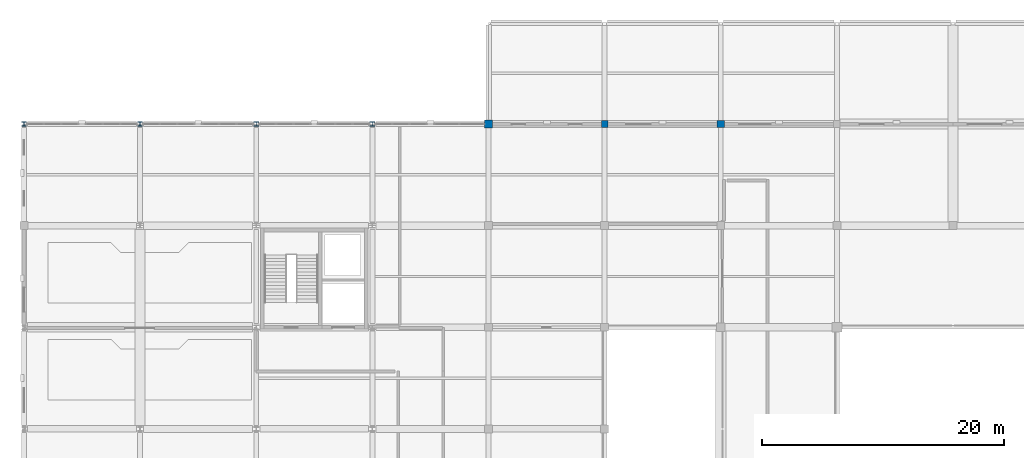
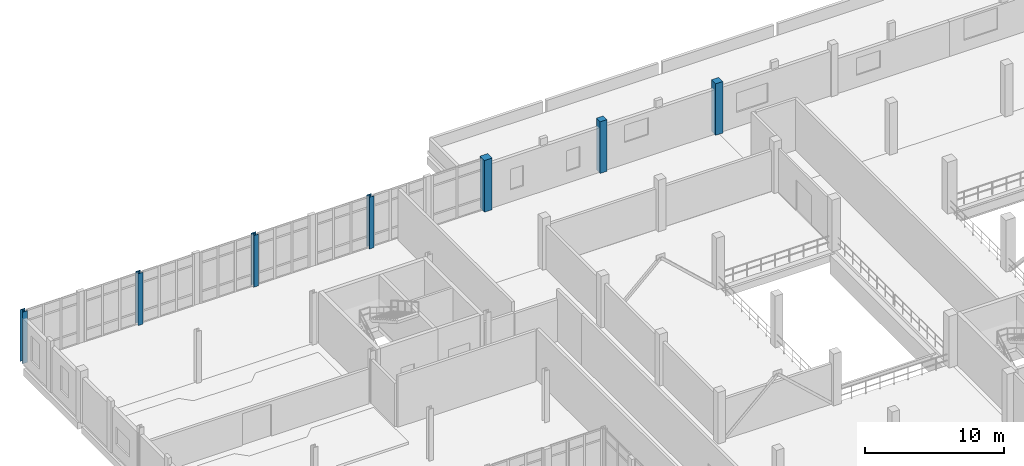
# One storey, part 11 of 102: 7 columns.
"""IFC4 building model written with IfcOpenShell, lengths in metres."""

import ifcopenshell
import ifcopenshell.guid

model = None  # the IFC model being written
_history = None  # IfcOwnerHistory: only IFC2X3 demands one
_inside = {}  # id of a spatial element -> (the spatial element, [elements in it])
_under = {}  # id of a project, library or spatial element -> (it, [spatial elements below it])
_declared = {}  # id of a project -> (the project, [libraries it declares])
_typed = {}  # id of a type object -> (the type object, [elements of that type])
_made_of = {}  # id of a material, layer set ... -> (it, [elements and type objects made of it])


def new_model(schema):
    """Start an empty IFC model of exactly this schema.

    Asked for "IFC4X3", IfcOpenShell would pick the latest addendum, in which some entities
    have other attributes; the version numbers below select the first issue.
    IFC2X3 requires an IfcOwnerHistory on every rooted entity: one is made here for all.
    """
    global model, _history
    if schema == "IFC4X3":
        model = ifcopenshell.file(schema_version=(4, 3, 0, 0))
    else:
        model = ifcopenshell.file(schema=schema)
    _inside.clear()
    _under.clear()
    _declared.clear()
    _typed.clear()
    _made_of.clear()
    _history = None
    if model.schema == "IFC2X3":
        org = make("IfcOrganization", Name="unknown")
        user = make(
            "IfcPersonAndOrganization",
            ThePerson=make("IfcPerson", FamilyName="unknown"),
            TheOrganization=org,
        )
        app = make(
            "IfcApplication",
            ApplicationDeveloper=org,
            Version="unknown",
            ApplicationFullName="unknown",
            ApplicationIdentifier="unknown",
        )
        _history = make(
            "IfcOwnerHistory",
            OwningUser=user,
            OwningApplication=app,
            ChangeAction="ADDED",
            CreationDate=0,
        )
    return model


def make(cls, **values):
    """One entity of the class cls with the attributes given. An attribute that is None is left unset."""
    return model.create_entity(
        cls, **{name: value for name, value in values.items() if value is not None}
    )


def rooted(cls, **values):
    """An entity with a GlobalId (a new one), such as an element, a storey or a relation."""
    return make(cls, GlobalId=ifcopenshell.guid.new(), OwnerHistory=_history, **values)


def si_unit(unit_type, name, prefix=None):
    """IfcSIUnit, for example si_unit("LENGTHUNIT", "METRE", prefix="MILLI")."""
    return make("IfcSIUnit", UnitType=unit_type, Prefix=prefix, Name=name)


def assignment(units):
    """IfcUnitAssignment: the units of a project."""
    return None if units is None else make("IfcUnitAssignment", Units=units)


def point(xyz):
    """IfcCartesianPoint."""
    return None if xyz is None else make("IfcCartesianPoint", Coordinates=xyz)


def direction(xyz):
    """IfcDirection."""
    return None if xyz is None else make("IfcDirection", DirectionRatios=xyz)


def frame(location, z_axis=None, x_axis=None):
    """IfcAxis2Placement3D, a coordinate frame: its origin and axes. An axis left out is left unset."""
    return make(
        "IfcAxis2Placement3D",
        Location=point(location),
        Axis=direction(z_axis),
        RefDirection=direction(x_axis),
    )


def frame_2d(location, x_axis=None):
    """IfcAxis2Placement2D, a coordinate frame in the plane: its origin and x axis."""
    return make(
        "IfcAxis2Placement2D", Location=point(location), RefDirection=direction(x_axis)
    )


def origin():
    """The frame at (0, 0, 0) with its axes left unset."""
    return frame((0.0, 0.0, 0.0))


def origin_2d():
    """The frame at (0, 0) in the plane with its x axis left unset."""
    return frame_2d((0.0, 0.0))


def place(relative_to, where):
    """IfcLocalPlacement: puts the frame where relative to a parent placement (None: the world)."""
    return make(
        "IfcLocalPlacement", PlacementRelTo=relative_to, RelativePlacement=where
    )


def context(
    kind, dimensions, precision=None, world=None, true_north=None, identifier=None
):
    """IfcGeometricRepresentationContext, for example the 3D "Model" context."""
    return make(
        "IfcGeometricRepresentationContext",
        ContextIdentifier=identifier,
        ContextType=kind,
        CoordinateSpaceDimension=dimensions,
        Precision=precision,
        WorldCoordinateSystem=world,
        TrueNorth=true_north,
    )


def subcontext(parent, identifier, kind, view, scale=None):
    """IfcGeometricRepresentationSubContext, for example "Body" below "Model"."""
    return make(
        "IfcGeometricRepresentationSubContext",
        ContextIdentifier=identifier,
        ContextType=kind,
        ParentContext=parent,
        TargetScale=scale,
        TargetView=view,
    )


def project(units=None, contexts=None):
    """IfcProject with its units and contexts."""
    return rooted(
        "IfcProject",
        Name="project",
        RepresentationContexts=contexts,
        UnitsInContext=assignment(units),
    )


def spatial(cls, under=None, at=None, **own):
    """A site, building, storey or space (cls), placed at a placement, below another one or the project."""
    s = rooted(cls, ObjectPlacement=at, **own)
    if under is not None:
        _under.setdefault(under.id(), (under, []))[1].append(s)
    return s


def profile(cls, at=None, kind="AREA", **sizes):
    """A parametric profile (cls). Its sizes go by their IFC names, for example OverallWidth=200.0."""
    return make(cls, ProfileType=kind, Position=at, **sizes)


def rectangle(**sizes):
    """IfcRectangleProfileDef."""
    return profile("IfcRectangleProfileDef", **sizes)


def i_section(**sizes):
    """IfcIShapeProfileDef."""
    return profile("IfcIShapeProfileDef", **sizes)


def extrude(swept, where, along, depth):
    """IfcExtrudedAreaSolid: the profile swept, set in the frame where, extruded along a direction by depth."""
    return make(
        "IfcExtrudedAreaSolid",
        SweptArea=swept,
        Position=where,
        ExtrudedDirection=direction(along),
        Depth=depth,
    )


def shape(context_of_items, identifier, shape_type, items):
    """IfcShapeRepresentation: the items that make up one representation, for example the "Body"."""
    return make(
        "IfcShapeRepresentation",
        ContextOfItems=context_of_items,
        RepresentationIdentifier=identifier,
        RepresentationType=shape_type,
        Items=items,
    )


def material(Name=None, Category=None):
    """IfcMaterial."""
    return make("IfcMaterial", Name=Name, Category=Category)


def material_profile(
    of_material, cross_section, Name=None, Category=None, Priority=None
):
    """IfcMaterialProfile: a cross section and its material."""
    return make(
        "IfcMaterialProfile",
        Name=Name,
        Material=of_material,
        Profile=cross_section,
        Priority=Priority,
        Category=Category,
    )


def profile_set(profiles, Name=None, composite=None):
    """IfcMaterialProfileSet."""
    return make(
        "IfcMaterialProfileSet",
        Name=Name,
        MaterialProfiles=profiles,
        CompositeProfile=composite,
    )


def made_of(thing, what):
    """Note that an element or type object is made of a material, layer set ...; save() writes the relation."""
    if what is not None:
        _made_of.setdefault(what.id(), (what, []))[1].append(thing)
    return thing


def type_object(cls, material=None, **own):
    """A type object (cls), such as IfcWallType, which elements share."""
    return made_of(rooted(cls, **own), material)


def element(
    cls,
    number,
    at=None,
    inside=None,
    cuts=None,
    type_object=None,
    material=None,
    context=None,
    identifier="Body",
    shape_type=None,
    held_by="IfcProductDefinitionShape",
    body=None,
    shapes=None,
    **own,
):
    """One element of the class cls, such as IfcWall. Its Tag is "e" and its number.

    at: its placement. inside: the storey or other place that contains it. cuts: it is an
    opening in that element (IfcRelVoidsElement). A single representation is given by context,
    identifier, shape_type and body (its items); several are given by shapes. held_by: the class
    of the entity that holds the representations. save() writes the other relations.
    """
    e = rooted(cls, Tag="e%d" % number, ObjectPlacement=at, **own)
    if body is not None:
        shapes = [shape(context, identifier, shape_type, body)]
    if shapes is not None:
        e.Representation = make(held_by, Representations=shapes)
    if inside is not None:
        _inside.setdefault(inside.id(), (inside, []))[1].append(e)
    if cuts is not None:
        rooted(
            "IfcRelVoidsElement", RelatingBuildingElement=cuts, RelatedOpeningElement=e
        )
    if type_object is not None:
        _typed.setdefault(type_object.id(), (type_object, []))[1].append(e)
    return made_of(e, material)


def aggregate(whole, parts):
    """IfcRelAggregates: a whole, such as a stair, and the parts it consists of."""
    return rooted("IfcRelAggregates", RelatingObject=whole, RelatedObjects=parts)


def save(model, path):
    """Write the relations noted so far, then the file.

    IfcRelAggregates (storeys below a building ...), IfcRelContainedInSpatialStructure (elements
    in a storey), IfcRelDefinesByType, IfcRelAssociatesMaterial and IfcRelDeclares: one each for
    every whole, place, type object, material and project.
    """
    for whole, parts in _under.values():
        aggregate(whole, parts)
    for where, things in _inside.values():
        rooted(
            "IfcRelContainedInSpatialStructure",
            RelatedElements=things,
            RelatingStructure=where,
        )
    for kind, things in _typed.values():
        rooted("IfcRelDefinesByType", RelatedObjects=things, RelatingType=kind)
    for what, things in _made_of.values():
        rooted("IfcRelAssociatesMaterial", RelatedObjects=things, RelatingMaterial=what)
    for by, libraries in _declared.values():
        rooted("IfcRelDeclares", RelatingContext=by, RelatedDefinitions=libraries)
    model.write(path)


model = new_model("IFC4")

# Units and contexts
model_context = context("Model", 3, precision=1e-05, world=origin(), true_north=direction((0.0, 1.0)))
body_context = subcontext(model_context, "Body", "Model", "MODEL_VIEW")
ifc_project = project(units=[si_unit("LENGTHUNIT", "METRE"), si_unit("AREAUNIT", "SQUARE_METRE"), si_unit("VOLUMEUNIT", "CUBIC_METRE"), si_unit("PLANEANGLEUNIT", "RADIAN"), si_unit("MASSUNIT", "GRAM", prefix="KILO")], contexts=[model_context])

# Site, building, storey
site_placement = place(None, origin())
site = spatial("IfcSite", under=ifc_project, at=site_placement, CompositionType="ELEMENT")
building_placement = place(site_placement, origin())
building = spatial("IfcBuilding", under=site, at=building_placement, Name="Lornevale Opera House", CompositionType="ELEMENT")
storey_placement = place(building_placement, frame((0.0, 0.0, 5.39990234375)))
storey = spatial("IfcBuildingStorey", under=building, at=storey_placement, Name="L02", CompositionType="ELEMENT", Elevation=5.39990234375)

# Columns
ifc_material_1 = material(Name="Concrete 35 MPa (CSA A23.1 N)", Category="concrete")
ifc_material_profile_1 = material_profile(ifc_material_1, rectangle(XDim=0.550048828125, YDim=0.550048828125, at=origin_2d()), Name="RC550x550")
ifc_profile_set_1 = profile_set([ifc_material_profile_1], Name="Concrete 35 MPa (CSA A23.1 N)")
column_type_1 = type_object("IfcColumnType", Name="Concrete Column 550x550", PredefinedType="COLUMN", material=ifc_profile_set_1)
column_1_placement = place(storey_placement, frame((48.0, 100.800048828125, 0.0), z_axis=(0.0, 0.0, 1.0), x_axis=(1.0, 0.0, 0.0)))
element("IfcColumn", 1, at=column_1_placement, inside=storey, type_object=column_type_1, Name="Concrete Column 550x550 0342", PredefinedType="COLUMN", context=body_context, shape_type="SweptSolid", body=[
    extrude(rectangle(XDim=0.550048828125, YDim=0.550048828125, at=origin_2d()), origin(), (0.0, 0.0, 1.0), 4.530029296875),
])
ifc_material_profile_2 = material_profile(ifc_material_1, rectangle(XDim=0.60009765625, YDim=0.60009765625, at=origin_2d()), Name="RC600x600")
ifc_profile_set_2 = profile_set([ifc_material_profile_2], Name="Concrete 35 MPa (CSA A23.1 N)")
column_type_2 = type_object("IfcColumnType", Name="Concrete Column 600x600", PredefinedType="COLUMN", material=ifc_profile_set_2)
column_2_placement = place(storey_placement, frame((57.60009765625, 100.800048828125, 0.0), z_axis=(0.0, 0.0, 1.0), x_axis=(1.0, 0.0, 0.0)))
element("IfcColumn", 2, at=column_2_placement, inside=storey, type_object=column_type_2, Name="Concrete Column 600x600 0409", PredefinedType="COLUMN", context=body_context, shape_type="SweptSolid", body=[
    extrude(rectangle(XDim=0.60009765625, YDim=0.60009765625, at=origin_2d()), origin(), (0.0, 0.0, 1.0), 4.530029296875),
])
ifc_material_2 = material(Name="Concrete 40 MPa (CSA A23.1 C-1)", Category="concrete")
ifc_material_profile_3 = material_profile(ifc_material_2, rectangle(XDim=0.64990234375, YDim=0.64990234375, at=origin_2d()), Name="RC650x650")
ifc_profile_set_3 = profile_set([ifc_material_profile_3], Name="Concrete 40 MPa (CSA A23.1 C-1)")
column_type_3 = type_object("IfcColumnType", Name="Concrete Column 650x650", PredefinedType="COLUMN", material=ifc_profile_set_3)
column_3_placement = place(storey_placement, frame((38.39990234375, 100.800048828125, 0.0), z_axis=(0.0, 0.0, 1.0), x_axis=(1.0, 0.0, 0.0)))
element("IfcColumn", 3, at=column_3_placement, inside=storey, type_object=column_type_3, Name="Concrete Column 650x650 0278", PredefinedType="COLUMN", context=body_context, shape_type="SweptSolid", body=[
    extrude(rectangle(XDim=0.64990234375, YDim=0.64990234375, at=origin_2d()), origin(), (0.0, 0.0, 1.0), 4.530029296875),
])
ifc_material_3 = material(Name="Structural Steel CSA G40.21 Grade 350W (350 MPa)", Category="steel")
ifc_material_profile_4 = material_profile(ifc_material_3, i_section(OverallWidth=0.39404296875, OverallDepth=0.375, WebThickness=0.0205078125, FlangeThickness=0.032958984375, at=origin_2d()), Name="W360x216")
ifc_profile_set_4 = profile_set([ifc_material_profile_4], Name="Structural Steel CSA G40.21 Grade 350W (350 MPa)")
column_type_4 = type_object("IfcColumnType", Name="Steel Pavilion Column W360x216", PredefinedType="COLUMN", material=ifc_profile_set_4)
for number, where, z_axis, x_axis, name in (
    (4, (0.0, 100.800048828125, 0.0), (0.0, 0.0, 1.0), (1.0, 0.0, 0.0), "Steel Pavilion Column W360x216 0052"),
    (5, (9.60009765625, 100.800048828125, 0.0), (0.0, 0.0, 1.0), (1.0, 0.0, 0.0), "Steel Pavilion Column W360x216 0099"),
    (6, (19.199951171875, 100.800048828125, 0.0), (0.0, 0.0, 1.0), (1.0, 0.0, 0.0), "Steel Pavilion Column W360x216 0152"),
    (7, (28.800048828125, 100.800048828125, 0.0), (0.0, 0.0, 1.0), (1.0, 0.0, 0.0), "Steel Pavilion Column W360x216 0213"),
):
    element("IfcColumn", number, at=place(storey_placement, frame(where, z_axis=z_axis, x_axis=x_axis)), inside=storey, type_object=column_type_4, Name=name, PredefinedType="COLUMN", context=body_context, shape_type="SweptSolid", body=[
        extrude(i_section(OverallWidth=0.39404296875, OverallDepth=0.375, WebThickness=0.0205078125, FlangeThickness=0.032958984375, at=origin_2d()), origin(), (0.0, 0.0, 1.0), 4.5400390625),
    ])

save(model, "model.ifc")
